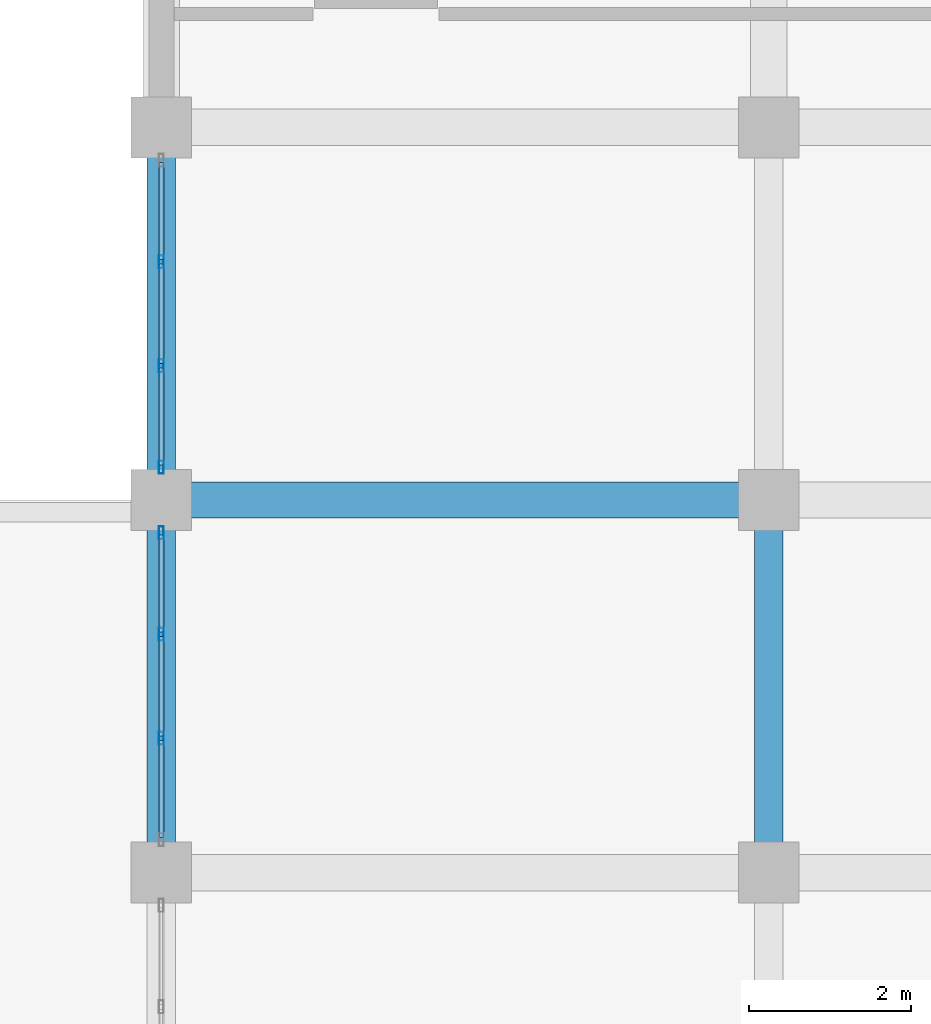
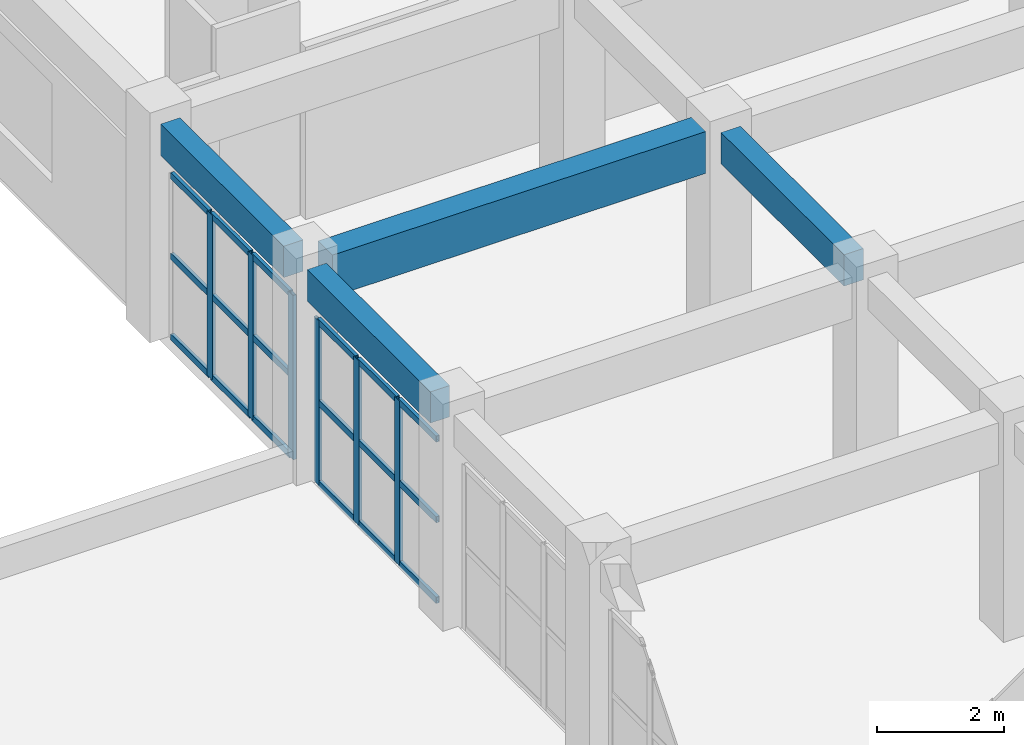
# One storey, part 29 of 90: 24 members, 4 beams, 2 elements without a shape of their own.
"""IFC4 building model written with IfcOpenShell, lengths in metres."""

from ifc_helpers import new_model, si_unit, direction, frame, origin, origin_2d, place, context, subcontext, project, spatial, rectangle, hollow_rectangle, extrude, material, layer, layer_set, material_profile, profile_set, type_object, element, aggregate, save


model = new_model("IFC4")

# Units and contexts
model_context = context("Model", 3, precision=1e-05, world=origin(), true_north=direction((0.0, 1.0)))
body_context = subcontext(model_context, "Body", "Model", "MODEL_VIEW")
ifc_project = project(units=[si_unit("LENGTHUNIT", "METRE"), si_unit("AREAUNIT", "SQUARE_METRE"), si_unit("VOLUMEUNIT", "CUBIC_METRE"), si_unit("PLANEANGLEUNIT", "RADIAN"), si_unit("MASSUNIT", "GRAM", prefix="KILO")], contexts=[model_context])

# Site, building, storey
site_placement = place(None, origin())
site = spatial("IfcSite", under=ifc_project, at=site_placement, CompositionType="ELEMENT")
building_placement = place(site_placement, origin())
building = spatial("IfcBuilding", under=site, at=building_placement, Name="Muzn Square Opera House", CompositionType="ELEMENT")
storey_placement = place(building_placement, frame((0.0, 0.0, 9.800048828125)))
storey = spatial("IfcBuildingStorey", under=building, at=storey_placement, Name="L02", CompositionType="ELEMENT", Elevation=9.800048828125)

# Curtain wall, members
ifc_material_1 = material(Name="Low-E laminated acoustic double glazing", Category="glass")
ifc_layer = layer(ifc_material_1, 0.159912109375, Name="Low-E laminated acoustic double glazing", Category="glass")
ifc_layer_set = layer_set([ifc_layer], Name="Low-E laminated acoustic double glazing")
curtain_wall_type = type_object("IfcCurtainWallType", Name="Glazed Curtain Wall WestCourt 3850x3150", PredefinedType="USERDEFINED", material=ifc_layer_set)
curtain_wall_1_placement = place(storey_placement, origin())
curtain_wall_1 = element("IfcCurtainWall", 1, at=curtain_wall_1_placement, inside=storey, type_object=curtain_wall_type, Name="Glazed Curtain Wall CW-L02-150", ObjectType="GLAZED CURTAIN WALL", PredefinedType="USERDEFINED")
ifc_material_2 = material(Name="Anodised bronze aluminium 6063-T6", Category="metal")
ifc_material_profile_1 = material_profile(ifc_material_2, hollow_rectangle(XDim=0.06005859375, YDim=0.159912109375, WallThickness=0.00390625, at=origin_2d()), Name="ALU 160x60x4", Category="metal")
ifc_profile_set_1 = profile_set([ifc_material_profile_1], Name="Anodised bronze aluminium 6063-T6")
member_type_1 = type_object("IfcMemberType", Name="Curtain Wall Mullion 160x60", PredefinedType="MULLION", material=ifc_profile_set_1)
member_1_placement = place(storey_placement, frame((19.0, 65.058349609375, 0.0), z_axis=(0.0, 0.0, 1.0), x_axis=(-1.0, 0.0, 0.0)))
member_1 = element("IfcMember", 2, at=member_1_placement, type_object=member_type_1, Name="CW-WCT-38x31 mullion 2", PredefinedType="MULLION", context=body_context, shape_type="SweptSolid", body=[
    extrude(hollow_rectangle(XDim=0.06005859375, YDim=0.159912109375, WallThickness=0.00390625, at=origin_2d()), origin(), (0.0, 0.0, 1.0), 3.14990234375),
])
member_2_placement = place(storey_placement, frame((19.0, 66.341552734375, 0.0), z_axis=(0.0, 0.0, 1.0), x_axis=(-1.0, 0.0, 0.0)))
member_2 = element("IfcMember", 3, at=member_2_placement, type_object=member_type_1, Name="CW-WCT-38x31 mullion 3", PredefinedType="MULLION", context=body_context, shape_type="SweptSolid", body=[
    extrude(hollow_rectangle(XDim=0.06005859375, YDim=0.159912109375, WallThickness=0.00390625, at=origin_2d()), origin(), (0.0, 0.0, 1.0), 3.14990234375),
])
member_3_placement = place(storey_placement, frame((19.0, 67.594970703125, 0.0), z_axis=(0.0, 0.0, 1.0), x_axis=(-1.0, 0.0, 0.0)))
member_3 = element("IfcMember", 4, at=member_3_placement, type_object=member_type_1, Name="CW-WCT-38x31 mullion 4", PredefinedType="MULLION", context=body_context, shape_type="SweptSolid", body=[
    extrude(hollow_rectangle(XDim=0.06005859375, YDim=0.159912109375, WallThickness=0.00390625, at=origin_2d()), origin(), (0.0, 0.0, 1.0), 3.14990234375),
])

curtain_wall_2_placement = place(storey_placement, origin())
curtain_wall_2 = element("IfcCurtainWall", 5, at=curtain_wall_2_placement, inside=storey, type_object=curtain_wall_type, Name="Glazed Curtain Wall CW-L02-151", ObjectType="GLAZED CURTAIN WALL", PredefinedType="USERDEFINED")
member_4_placement = place(storey_placement, frame((19.0, 68.405029296875, 0.0), z_axis=(0.0, 0.0, 1.0), x_axis=(-1.0, 0.0, 0.0)))
member_4 = element("IfcMember", 6, at=member_4_placement, type_object=member_type_1, Name="CW-WCT-38x31 mullion 1", PredefinedType="MULLION", context=body_context, shape_type="SweptSolid", body=[
    extrude(hollow_rectangle(XDim=0.06005859375, YDim=0.159912109375, WallThickness=0.00390625, at=origin_2d()), origin(), (0.0, 0.0, 1.0), 3.14990234375),
])
member_5_placement = place(storey_placement, frame((19.0, 69.658447265625, 0.0), z_axis=(0.0, 0.0, 1.0), x_axis=(-1.0, 0.0, 0.0)))
member_5 = element("IfcMember", 7, at=member_5_placement, type_object=member_type_1, Name="CW-WCT-38x31 mullion 2", PredefinedType="MULLION", context=body_context, shape_type="SweptSolid", body=[
    extrude(hollow_rectangle(XDim=0.06005859375, YDim=0.159912109375, WallThickness=0.00390625, at=origin_2d()), origin(), (0.0, 0.0, 1.0), 3.14990234375),
])
member_6_placement = place(storey_placement, frame((19.0, 70.941650390625, 0.0), z_axis=(0.0, 0.0, 1.0), x_axis=(-1.0, 0.0, 0.0)))
member_6 = element("IfcMember", 8, at=member_6_placement, type_object=member_type_1, Name="CW-WCT-38x31 mullion 3", PredefinedType="MULLION", context=body_context, shape_type="SweptSolid", body=[
    extrude(hollow_rectangle(XDim=0.06005859375, YDim=0.159912109375, WallThickness=0.00390625, at=origin_2d()), origin(), (0.0, 0.0, 1.0), 3.14990234375),
])

# Member
ifc_material_profile_2 = material_profile(ifc_material_2, hollow_rectangle(XDim=0.06005859375, YDim=0.1201171875, WallThickness=0.00390625, at=origin_2d()), Name="ALU 120x60x4", Category="metal")
ifc_profile_set_2 = profile_set([ifc_material_profile_2], Name="Anodised bronze aluminium 6063-T6")
member_type_2 = type_object("IfcMemberType", Name="Curtain Wall Transom 120x60", PredefinedType="USERDEFINED", material=ifc_profile_set_2)
member_7_placement = place(storey_placement, frame((19.0, 63.8349609375, 0.030029296875), z_axis=(0.0, 1.0, 0.0), x_axis=(-1.0, 0.0, 0.0)))
member_7 = element("IfcMember", 9, at=member_7_placement, type_object=member_type_2, Name="CW-WCT-38x31 transom 1.1", ObjectType="TRANSOM", PredefinedType="USERDEFINED", context=body_context, shape_type="SweptSolid", body=[
    extrude(hollow_rectangle(XDim=0.06005859375, YDim=0.1201171875, WallThickness=0.00390625, at=origin_2d()), origin(), (0.0, 0.0, 1.0), 1.193359375),
])

member_8_placement = place(storey_placement, frame((19.0, 63.8349609375, 1.574951171875), z_axis=(0.0, 1.0, 0.0), x_axis=(-1.0, 0.0, 0.0)))
member_8 = element("IfcMember", 10, at=member_8_placement, type_object=member_type_2, Name="CW-WCT-38x31 transom 1.2", ObjectType="TRANSOM", PredefinedType="USERDEFINED", context=body_context, shape_type="SweptSolid", body=[
    extrude(hollow_rectangle(XDim=0.06005859375, YDim=0.1201171875, WallThickness=0.00390625, at=origin_2d()), origin(), (0.0, 0.0, 1.0), 1.193359375),
])

member_9_placement = place(storey_placement, frame((19.0, 63.8349609375, 3.119873046875), z_axis=(0.0, 1.0, 0.0), x_axis=(-1.0, 0.0, 0.0)))
member_9 = element("IfcMember", 11, at=member_9_placement, type_object=member_type_2, Name="CW-WCT-38x31 transom 1.3", ObjectType="TRANSOM", PredefinedType="USERDEFINED", context=body_context, shape_type="SweptSolid", body=[
    extrude(hollow_rectangle(XDim=0.06005859375, YDim=0.1201171875, WallThickness=0.00390625, at=origin_2d()), origin(), (0.0, 0.0, 1.0), 1.193359375),
])

member_10_placement = place(storey_placement, frame((19.0, 65.08837890625, 0.030029296875), z_axis=(0.0, 1.0, 0.0), x_axis=(-1.0, 0.0, 0.0)))
member_10 = element("IfcMember", 12, at=member_10_placement, type_object=member_type_2, Name="CW-WCT-38x31 transom 2.1", ObjectType="TRANSOM", PredefinedType="USERDEFINED", context=body_context, shape_type="SweptSolid", body=[
    extrude(hollow_rectangle(XDim=0.06005859375, YDim=0.1201171875, WallThickness=0.00390625, at=origin_2d()), origin(), (0.0, 0.0, 1.0), 1.223388671875),
])

member_11_placement = place(storey_placement, frame((19.0, 65.08837890625, 1.574951171875), z_axis=(0.0, 1.0, 0.0), x_axis=(-1.0, 0.0, 0.0)))
member_11 = element("IfcMember", 13, at=member_11_placement, type_object=member_type_2, Name="CW-WCT-38x31 transom 2.2", ObjectType="TRANSOM", PredefinedType="USERDEFINED", context=body_context, shape_type="SweptSolid", body=[
    extrude(hollow_rectangle(XDim=0.06005859375, YDim=0.1201171875, WallThickness=0.00390625, at=origin_2d()), origin(), (0.0, 0.0, 1.0), 1.223388671875),
])

member_12_placement = place(storey_placement, frame((19.0, 65.08837890625, 3.119873046875), z_axis=(0.0, 1.0, 0.0), x_axis=(-1.0, 0.0, 0.0)))
member_12 = element("IfcMember", 14, at=member_12_placement, type_object=member_type_2, Name="CW-WCT-38x31 transom 2.3", ObjectType="TRANSOM", PredefinedType="USERDEFINED", context=body_context, shape_type="SweptSolid", body=[
    extrude(hollow_rectangle(XDim=0.06005859375, YDim=0.1201171875, WallThickness=0.00390625, at=origin_2d()), origin(), (0.0, 0.0, 1.0), 1.223388671875),
])

member_13_placement = place(storey_placement, frame((19.0, 66.37158203125, 0.030029296875), z_axis=(0.0, 1.0, 0.0), x_axis=(-1.0, 0.0, 0.0)))
member_13 = element("IfcMember", 15, at=member_13_placement, type_object=member_type_2, Name="CW-WCT-38x31 transom 3.1", ObjectType="TRANSOM", PredefinedType="USERDEFINED", context=body_context, shape_type="SweptSolid", body=[
    extrude(hollow_rectangle(XDim=0.06005859375, YDim=0.1201171875, WallThickness=0.00390625, at=origin_2d()), origin(), (0.0, 0.0, 1.0), 1.193359375),
])

member_14_placement = place(storey_placement, frame((19.0, 66.37158203125, 1.574951171875), z_axis=(0.0, 1.0, 0.0), x_axis=(-1.0, 0.0, 0.0)))
member_14 = element("IfcMember", 16, at=member_14_placement, type_object=member_type_2, Name="CW-WCT-38x31 transom 3.2", ObjectType="TRANSOM", PredefinedType="USERDEFINED", context=body_context, shape_type="SweptSolid", body=[
    extrude(hollow_rectangle(XDim=0.06005859375, YDim=0.1201171875, WallThickness=0.00390625, at=origin_2d()), origin(), (0.0, 0.0, 1.0), 1.193359375),
])

member_15_placement = place(storey_placement, frame((19.0, 66.37158203125, 3.119873046875), z_axis=(0.0, 1.0, 0.0), x_axis=(-1.0, 0.0, 0.0)))
member_15 = element("IfcMember", 17, at=member_15_placement, type_object=member_type_2, Name="CW-WCT-38x31 transom 3.3", ObjectType="TRANSOM", PredefinedType="USERDEFINED", context=body_context, shape_type="SweptSolid", body=[
    extrude(hollow_rectangle(XDim=0.06005859375, YDim=0.1201171875, WallThickness=0.00390625, at=origin_2d()), origin(), (0.0, 0.0, 1.0), 1.193359375),
])

aggregate(curtain_wall_1, [member_1, member_2, member_3, member_7, member_8, member_9, member_10, member_11, member_12, member_13, member_14, member_15])

member_16_placement = place(storey_placement, frame((19.0, 68.43505859375, 0.030029296875), z_axis=(0.0, 1.0, 0.0), x_axis=(-1.0, 0.0, 0.0)))
member_16 = element("IfcMember", 18, at=member_16_placement, type_object=member_type_2, Name="CW-WCT-38x31 transom 1.1", ObjectType="TRANSOM", PredefinedType="USERDEFINED", context=body_context, shape_type="SweptSolid", body=[
    extrude(hollow_rectangle(XDim=0.06005859375, YDim=0.1201171875, WallThickness=0.00390625, at=origin_2d()), origin(), (0.0, 0.0, 1.0), 1.193359375),
])

member_17_placement = place(storey_placement, frame((19.0, 68.43505859375, 1.574951171875), z_axis=(0.0, 1.0, 0.0), x_axis=(-1.0, 0.0, 0.0)))
member_17 = element("IfcMember", 19, at=member_17_placement, type_object=member_type_2, Name="CW-WCT-38x31 transom 1.2", ObjectType="TRANSOM", PredefinedType="USERDEFINED", context=body_context, shape_type="SweptSolid", body=[
    extrude(hollow_rectangle(XDim=0.06005859375, YDim=0.1201171875, WallThickness=0.00390625, at=origin_2d()), origin(), (0.0, 0.0, 1.0), 1.193359375),
])

member_18_placement = place(storey_placement, frame((19.0, 68.43505859375, 3.119873046875), z_axis=(0.0, 1.0, 0.0), x_axis=(-1.0, 0.0, 0.0)))
member_18 = element("IfcMember", 20, at=member_18_placement, type_object=member_type_2, Name="CW-WCT-38x31 transom 1.3", ObjectType="TRANSOM", PredefinedType="USERDEFINED", context=body_context, shape_type="SweptSolid", body=[
    extrude(hollow_rectangle(XDim=0.06005859375, YDim=0.1201171875, WallThickness=0.00390625, at=origin_2d()), origin(), (0.0, 0.0, 1.0), 1.193359375),
])

member_19_placement = place(storey_placement, frame((19.0, 69.688232421875, 0.030029296875), z_axis=(0.0, 1.0, 0.0), x_axis=(-1.0, 0.0, 0.0)))
member_19 = element("IfcMember", 21, at=member_19_placement, type_object=member_type_2, Name="CW-WCT-38x31 transom 2.1", ObjectType="TRANSOM", PredefinedType="USERDEFINED", context=body_context, shape_type="SweptSolid", body=[
    extrude(hollow_rectangle(XDim=0.06005859375, YDim=0.1201171875, WallThickness=0.00390625, at=origin_2d()), origin(), (0.0, 0.0, 1.0), 1.223388671875),
])

member_20_placement = place(storey_placement, frame((19.0, 69.688232421875, 1.574951171875), z_axis=(0.0, 1.0, 0.0), x_axis=(-1.0, 0.0, 0.0)))
member_20 = element("IfcMember", 22, at=member_20_placement, type_object=member_type_2, Name="CW-WCT-38x31 transom 2.2", ObjectType="TRANSOM", PredefinedType="USERDEFINED", context=body_context, shape_type="SweptSolid", body=[
    extrude(hollow_rectangle(XDim=0.06005859375, YDim=0.1201171875, WallThickness=0.00390625, at=origin_2d()), origin(), (0.0, 0.0, 1.0), 1.223388671875),
])

member_21_placement = place(storey_placement, frame((19.0, 69.688232421875, 3.119873046875), z_axis=(0.0, 1.0, 0.0), x_axis=(-1.0, 0.0, 0.0)))
member_21 = element("IfcMember", 23, at=member_21_placement, type_object=member_type_2, Name="CW-WCT-38x31 transom 2.3", ObjectType="TRANSOM", PredefinedType="USERDEFINED", context=body_context, shape_type="SweptSolid", body=[
    extrude(hollow_rectangle(XDim=0.06005859375, YDim=0.1201171875, WallThickness=0.00390625, at=origin_2d()), origin(), (0.0, 0.0, 1.0), 1.223388671875),
])

member_22_placement = place(storey_placement, frame((19.0, 70.9716796875, 0.030029296875), z_axis=(0.0, 1.0, 0.0), x_axis=(-1.0, 0.0, 0.0)))
member_22 = element("IfcMember", 24, at=member_22_placement, type_object=member_type_2, Name="CW-WCT-38x31 transom 3.1", ObjectType="TRANSOM", PredefinedType="USERDEFINED", context=body_context, shape_type="SweptSolid", body=[
    extrude(hollow_rectangle(XDim=0.06005859375, YDim=0.1201171875, WallThickness=0.00390625, at=origin_2d()), origin(), (0.0, 0.0, 1.0), 1.193359375),
])

member_23_placement = place(storey_placement, frame((19.0, 70.9716796875, 1.574951171875), z_axis=(0.0, 1.0, 0.0), x_axis=(-1.0, 0.0, 0.0)))
member_23 = element("IfcMember", 25, at=member_23_placement, type_object=member_type_2, Name="CW-WCT-38x31 transom 3.2", ObjectType="TRANSOM", PredefinedType="USERDEFINED", context=body_context, shape_type="SweptSolid", body=[
    extrude(hollow_rectangle(XDim=0.06005859375, YDim=0.1201171875, WallThickness=0.00390625, at=origin_2d()), origin(), (0.0, 0.0, 1.0), 1.193359375),
])

member_24_placement = place(storey_placement, frame((19.0, 70.9716796875, 3.119873046875), z_axis=(0.0, 1.0, 0.0), x_axis=(-1.0, 0.0, 0.0)))
member_24 = element("IfcMember", 26, at=member_24_placement, type_object=member_type_2, Name="CW-WCT-38x31 transom 3.3", ObjectType="TRANSOM", PredefinedType="USERDEFINED", context=body_context, shape_type="SweptSolid", body=[
    extrude(hollow_rectangle(XDim=0.06005859375, YDim=0.1201171875, WallThickness=0.00390625, at=origin_2d()), origin(), (0.0, 0.0, 1.0), 1.193359375),
])

aggregate(curtain_wall_2, [member_4, member_5, member_6, member_16, member_17, member_18, member_19, member_20, member_21, member_22, member_23, member_24])

# Beams
ifc_material_3 = material(Name="Concrete C40/50", Category="concrete")
ifc_material_profile_3 = material_profile(ifc_material_3, rectangle(XDim=0.35009765625, YDim=0.60009765625, at=origin_2d()), Name="RCB 350x600", Category="concrete")
ifc_profile_set_3 = profile_set([ifc_material_profile_3], Name="Concrete C40/50")
beam_type_1 = type_object("IfcBeamType", Name="Primary Girder 350x600", PredefinedType="BEAM", material=ifc_profile_set_3)
for number, where, z_axis, x_axis, name in (
    (27, (19.0, 63.76708984375, 3.820068359375), (0.0, 1.0, 0.0), (-1.0, 0.0, 0.0), "Primary Girder BM-L02-BM-PG600-190_638_190_676-2126"),
    (28, (19.0, 68.366943359375, 3.820068359375), (0.0, 1.0, 0.0), (-1.0, 0.0, 0.0), "Primary Girder BM-L02-BM-PG600-190_684_190_722-2127"),
    (29, (26.5, 63.76708984375, 3.820068359375), (0.0, 1.0, 0.0), (-1.0, 0.0, 0.0), "Primary Girder BM-L02-BM-PG600-265_638_265_676-2136"),
):
    element("IfcBeam", number, at=place(storey_placement, frame(where, z_axis=z_axis, x_axis=x_axis)), inside=storey, type_object=beam_type_1, Name=name, PredefinedType="BEAM", context=body_context, shape_type="SweptSolid", body=[
        extrude(rectangle(XDim=0.35009765625, YDim=0.60009765625, at=origin_2d()), origin(), (0.0, 0.0, 1.0), 3.865966796875),
    ])
ifc_material_profile_4 = material_profile(ifc_material_3, rectangle(XDim=0.449951171875, YDim=0.800048828125, at=origin_2d()), Name="RCB 450x800", Category="concrete")
ifc_profile_set_4 = profile_set([ifc_material_profile_4], Name="Concrete C40/50")
beam_type_2 = type_object("IfcBeamType", Name="Primary Girder 450x800", PredefinedType="BEAM", material=ifc_profile_set_4)
beam_placement = place(storey_placement, frame((19.366943359375, 68.0, 3.719970703125), z_axis=(1.0, 0.0, 0.0), x_axis=(0.0, 1.0, 0.0)))
element("IfcBeam", 30, at=beam_placement, inside=storey, type_object=beam_type_2, Name="Primary Girder BM-L02-BM-PG800-194_680_261_680-2035", PredefinedType="BEAM", context=body_context, shape_type="SweptSolid", body=[
    extrude(rectangle(XDim=0.449951171875, YDim=0.800048828125, at=origin_2d()), origin(), (0.0, 0.0, 1.0), 6.76611328125),
])

save(model, "model.ifc")
